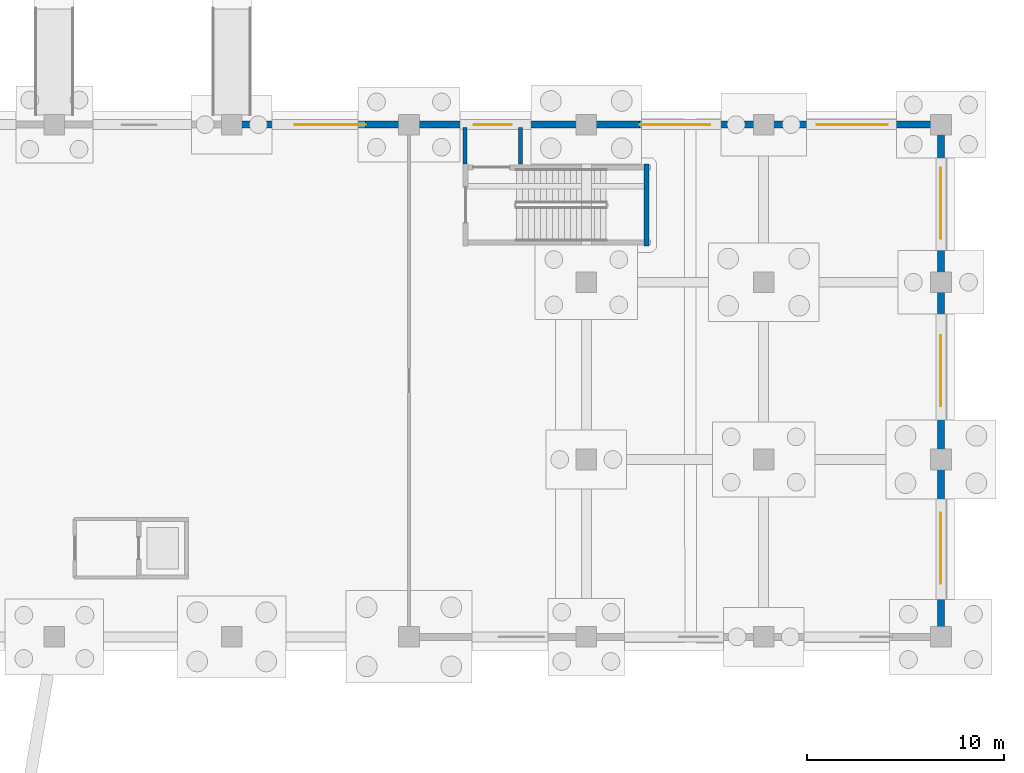
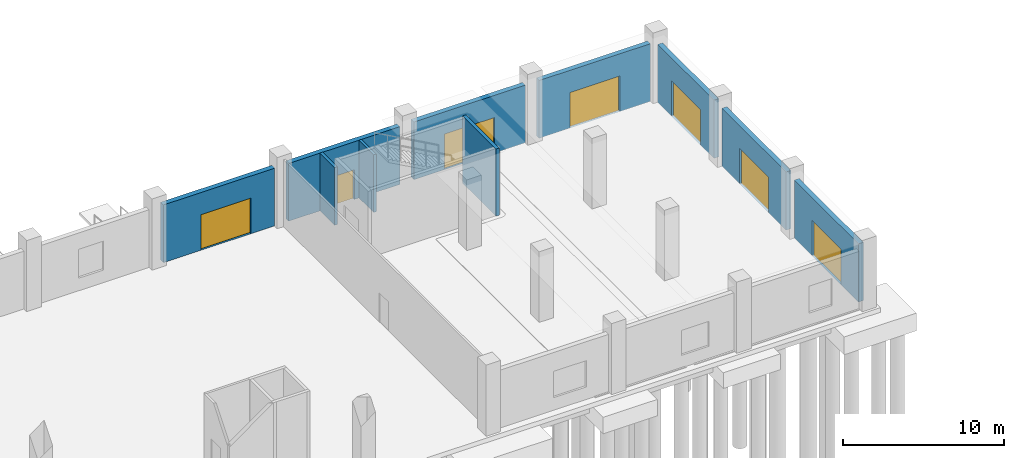
# One storey, part 49 of 103: 10 walls, 7 doors, 7 openings.
"""IFC4 building model written with IfcOpenShell, lengths in metres."""

import ifcopenshell
import ifcopenshell.guid

model = None  # the IFC model being written
_history = None  # IfcOwnerHistory: only IFC2X3 demands one
_inside = {}  # id of a spatial element -> (the spatial element, [elements in it])
_under = {}  # id of a project, library or spatial element -> (it, [spatial elements below it])
_declared = {}  # id of a project -> (the project, [libraries it declares])
_typed = {}  # id of a type object -> (the type object, [elements of that type])
_made_of = {}  # id of a material, layer set ... -> (it, [elements and type objects made of it])


def new_model(schema):
    """Start an empty IFC model of exactly this schema.

    Asked for "IFC4X3", IfcOpenShell would pick the latest addendum, in which some entities
    have other attributes; the version numbers below select the first issue.
    IFC2X3 requires an IfcOwnerHistory on every rooted entity: one is made here for all.
    """
    global model, _history
    if schema == "IFC4X3":
        model = ifcopenshell.file(schema_version=(4, 3, 0, 0))
    else:
        model = ifcopenshell.file(schema=schema)
    _inside.clear()
    _under.clear()
    _declared.clear()
    _typed.clear()
    _made_of.clear()
    _history = None
    if model.schema == "IFC2X3":
        org = make("IfcOrganization", Name="unknown")
        user = make(
            "IfcPersonAndOrganization",
            ThePerson=make("IfcPerson", FamilyName="unknown"),
            TheOrganization=org,
        )
        app = make(
            "IfcApplication",
            ApplicationDeveloper=org,
            Version="unknown",
            ApplicationFullName="unknown",
            ApplicationIdentifier="unknown",
        )
        _history = make(
            "IfcOwnerHistory",
            OwningUser=user,
            OwningApplication=app,
            ChangeAction="ADDED",
            CreationDate=0,
        )
    return model


def make(cls, **values):
    """One entity of the class cls with the attributes given. An attribute that is None is left unset."""
    return model.create_entity(
        cls, **{name: value for name, value in values.items() if value is not None}
    )


def rooted(cls, **values):
    """An entity with a GlobalId (a new one), such as an element, a storey or a relation."""
    return make(cls, GlobalId=ifcopenshell.guid.new(), OwnerHistory=_history, **values)


def si_unit(unit_type, name, prefix=None):
    """IfcSIUnit, for example si_unit("LENGTHUNIT", "METRE", prefix="MILLI")."""
    return make("IfcSIUnit", UnitType=unit_type, Prefix=prefix, Name=name)


def assignment(units):
    """IfcUnitAssignment: the units of a project."""
    return None if units is None else make("IfcUnitAssignment", Units=units)


def point(xyz):
    """IfcCartesianPoint."""
    return None if xyz is None else make("IfcCartesianPoint", Coordinates=xyz)


def direction(xyz):
    """IfcDirection."""
    return None if xyz is None else make("IfcDirection", DirectionRatios=xyz)


def frame(location, z_axis=None, x_axis=None):
    """IfcAxis2Placement3D, a coordinate frame: its origin and axes. An axis left out is left unset."""
    return make(
        "IfcAxis2Placement3D",
        Location=point(location),
        Axis=direction(z_axis),
        RefDirection=direction(x_axis),
    )


def frame_2d(location, x_axis=None):
    """IfcAxis2Placement2D, a coordinate frame in the plane: its origin and x axis."""
    return make(
        "IfcAxis2Placement2D", Location=point(location), RefDirection=direction(x_axis)
    )


def origin():
    """The frame at (0, 0, 0) with its axes left unset."""
    return frame((0.0, 0.0, 0.0))


def place(relative_to, where):
    """IfcLocalPlacement: puts the frame where relative to a parent placement (None: the world)."""
    return make(
        "IfcLocalPlacement", PlacementRelTo=relative_to, RelativePlacement=where
    )


def context(
    kind, dimensions, precision=None, world=None, true_north=None, identifier=None
):
    """IfcGeometricRepresentationContext, for example the 3D "Model" context."""
    return make(
        "IfcGeometricRepresentationContext",
        ContextIdentifier=identifier,
        ContextType=kind,
        CoordinateSpaceDimension=dimensions,
        Precision=precision,
        WorldCoordinateSystem=world,
        TrueNorth=true_north,
    )


def subcontext(parent, identifier, kind, view, scale=None):
    """IfcGeometricRepresentationSubContext, for example "Body" below "Model"."""
    return make(
        "IfcGeometricRepresentationSubContext",
        ContextIdentifier=identifier,
        ContextType=kind,
        ParentContext=parent,
        TargetScale=scale,
        TargetView=view,
    )


def project(units=None, contexts=None):
    """IfcProject with its units and contexts."""
    return rooted(
        "IfcProject",
        Name="project",
        RepresentationContexts=contexts,
        UnitsInContext=assignment(units),
    )


def spatial(cls, under=None, at=None, **own):
    """A site, building, storey or space (cls), placed at a placement, below another one or the project."""
    s = rooted(cls, ObjectPlacement=at, **own)
    if under is not None:
        _under.setdefault(under.id(), (under, []))[1].append(s)
    return s


def profile(cls, at=None, kind="AREA", **sizes):
    """A parametric profile (cls). Its sizes go by their IFC names, for example OverallWidth=200.0."""
    return make(cls, ProfileType=kind, Position=at, **sizes)


def rectangle(**sizes):
    """IfcRectangleProfileDef."""
    return profile("IfcRectangleProfileDef", **sizes)


def extrude(swept, where, along, depth):
    """IfcExtrudedAreaSolid: the profile swept, set in the frame where, extruded along a direction by depth."""
    return make(
        "IfcExtrudedAreaSolid",
        SweptArea=swept,
        Position=where,
        ExtrudedDirection=direction(along),
        Depth=depth,
    )


def shape(context_of_items, identifier, shape_type, items):
    """IfcShapeRepresentation: the items that make up one representation, for example the "Body"."""
    return make(
        "IfcShapeRepresentation",
        ContextOfItems=context_of_items,
        RepresentationIdentifier=identifier,
        RepresentationType=shape_type,
        Items=items,
    )


def material(Name=None, Category=None):
    """IfcMaterial."""
    return make("IfcMaterial", Name=Name, Category=Category)


def layer(
    of_material, thickness, ventilated=None, Name=None, Category=None, Priority=None
):
    """IfcMaterialLayer: one layer of a wall or slab, of a material (None: an air gap)."""
    return make(
        "IfcMaterialLayer",
        Material=of_material,
        LayerThickness=thickness,
        IsVentilated=ventilated,
        Name=Name,
        Category=Category,
        Priority=Priority,
    )


def layer_set(layers, Name=None):
    """IfcMaterialLayerSet."""
    return make("IfcMaterialLayerSet", MaterialLayers=layers, LayerSetName=Name)


def made_of(thing, what):
    """Note that an element or type object is made of a material, layer set ...; save() writes the relation."""
    if what is not None:
        _made_of.setdefault(what.id(), (what, []))[1].append(thing)
    return thing


def type_object(cls, material=None, **own):
    """A type object (cls), such as IfcWallType, which elements share."""
    return made_of(rooted(cls, **own), material)


def element(
    cls,
    number,
    at=None,
    inside=None,
    cuts=None,
    type_object=None,
    material=None,
    context=None,
    identifier="Body",
    shape_type=None,
    held_by="IfcProductDefinitionShape",
    body=None,
    shapes=None,
    **own,
):
    """One element of the class cls, such as IfcWall. Its Tag is "e" and its number.

    at: its placement. inside: the storey or other place that contains it. cuts: it is an
    opening in that element (IfcRelVoidsElement). A single representation is given by context,
    identifier, shape_type and body (its items); several are given by shapes. held_by: the class
    of the entity that holds the representations. save() writes the other relations.
    """
    e = rooted(cls, Tag="e%d" % number, ObjectPlacement=at, **own)
    if body is not None:
        shapes = [shape(context, identifier, shape_type, body)]
    if shapes is not None:
        e.Representation = make(held_by, Representations=shapes)
    if inside is not None:
        _inside.setdefault(inside.id(), (inside, []))[1].append(e)
    if cuts is not None:
        rooted(
            "IfcRelVoidsElement", RelatingBuildingElement=cuts, RelatedOpeningElement=e
        )
    if type_object is not None:
        _typed.setdefault(type_object.id(), (type_object, []))[1].append(e)
    return made_of(e, material)


def fill(opening, filler):
    """IfcRelFillsElement: the door or window that sits in an opening."""
    return rooted(
        "IfcRelFillsElement",
        RelatingOpeningElement=opening,
        RelatedBuildingElement=filler,
    )


def aggregate(whole, parts):
    """IfcRelAggregates: a whole, such as a stair, and the parts it consists of."""
    return rooted("IfcRelAggregates", RelatingObject=whole, RelatedObjects=parts)


def save(model, path):
    """Write the relations noted so far, then the file.

    IfcRelAggregates (storeys below a building ...), IfcRelContainedInSpatialStructure (elements
    in a storey), IfcRelDefinesByType, IfcRelAssociatesMaterial and IfcRelDeclares: one each for
    every whole, place, type object, material and project.
    """
    for whole, parts in _under.values():
        aggregate(whole, parts)
    for where, things in _inside.values():
        rooted(
            "IfcRelContainedInSpatialStructure",
            RelatedElements=things,
            RelatingStructure=where,
        )
    for kind, things in _typed.values():
        rooted("IfcRelDefinesByType", RelatedObjects=things, RelatingType=kind)
    for what, things in _made_of.values():
        rooted("IfcRelAssociatesMaterial", RelatedObjects=things, RelatingMaterial=what)
    for by, libraries in _declared.values():
        rooted("IfcRelDeclares", RelatingContext=by, RelatedDefinitions=libraries)
    model.write(path)


model = new_model("IFC4")

# Units and contexts
model_context = context("Model", 3, precision=1e-05, world=origin(), true_north=direction((0.0, 1.0)))
body_context = subcontext(model_context, "Body", "Model", "MODEL_VIEW")
ifc_project = project(units=[si_unit("LENGTHUNIT", "METRE"), si_unit("AREAUNIT", "SQUARE_METRE"), si_unit("VOLUMEUNIT", "CUBIC_METRE"), si_unit("PLANEANGLEUNIT", "RADIAN"), si_unit("MASSUNIT", "GRAM", prefix="KILO")], contexts=[model_context])

# Site, building, storey
site_placement = place(None, origin())
site = spatial("IfcSite", under=ifc_project, at=site_placement, CompositionType="ELEMENT")
building_placement = place(site_placement, origin())
building = spatial("IfcBuilding", under=site, at=building_placement, Name="Zevraka Park Crest Stadium", CompositionType="ELEMENT")
storey_placement = place(building_placement, origin())
storey = spatial("IfcBuildingStorey", under=building, at=storey_placement, Name="L00", CompositionType="ELEMENT", Elevation=0.0)

# Wall, opening, door
ifc_material_1 = material(Name="Limestone and red clay brick masonry", Category="masonry")
ifc_layer_1 = layer(ifc_material_1, 0.35009765625)
ifc_layer_set_1 = layer_set([ifc_layer_1], Name="Limestone and red clay brick masonry")
wall_type_1 = type_object("IfcWallType", Name="EW01", PredefinedType="STANDARD", material=ifc_layer_set_1)
wall_1_placement = place(storey_placement, frame((188.5, 184.0, 0.0), z_axis=(0.0, 0.0, 1.0), x_axis=(1.0, 0.0, 0.0)))
wall_1 = element("IfcWall", 1, at=wall_1_placement, inside=storey, type_object=wall_type_1, Name="Wing External Cavity Wall EW01 L00-NGATE-N-5", PredefinedType="STANDARD", context=body_context, shape_type="SweptSolid", body=[
    extrude(rectangle(XDim=8.0, YDim=0.35009765625, at=frame_2d((4.0, 0.0))), origin(), (0.0, 0.0, 1.0), 4.383544921875),
])
opening_1_placement = place(wall_1_placement, frame((2.699951171875, 0.0, 0.0)))
opening_1 = element("IfcOpeningElement", 2, at=opening_1_placement, cuts=wall_1, Name="Opening D-L00-E27", PredefinedType="OPENING", context=body_context, shape_type="SweptSolid", body=[
    extrude(rectangle(XDim=3.60009765625, YDim=2.699951171875, at=frame_2d((1.800048828125, 1.35009765625))), frame((0.0, 0.18505859375, 0.0), z_axis=(0.0, -1.0, 0.0), x_axis=(1.0, 0.0, 0.0)), (0.0, 0.0, 1.0), 0.3701171875),
])
ifc_material_2 = material(Name="Thermally broken architectural aluminium and safety glass", Category="aluminium")
door_type_1 = type_object("IfcDoorType", Name="ED01", OperationType="NOTDEFINED", PredefinedType="DOOR", material=ifc_material_2)
door_1_placement = place(opening_1_placement, origin())
door_1 = element("IfcDoor", 3, at=door_1_placement, inside=storey, type_object=door_type_1, Name="Concourse Final Exit E27", OperationType="DOUBLE_DOOR_SINGLE_SWING", OverallHeight=2.699951171875, OverallWidth=3.60009765625, PredefinedType="DOOR", context=body_context, shape_type="SweptSolid", body=[
    extrude(rectangle(XDim=3.60009765625, YDim=2.699951171875, at=frame_2d((1.800048828125, 1.35009765625))), frame((0.0, 0.02490234375, 0.0), z_axis=(0.0, -1.0, 0.0), x_axis=(1.0, 0.0, 0.0)), (0.0, 0.0, 1.0), 0.050048828125),
])
fill(opening_1, door_1)

wall_2_placement = place(storey_placement, frame((197.5, 184.0, 0.0), z_axis=(0.0, 0.0, 1.0), x_axis=(1.0, 0.0, 0.0)))
wall_2 = element("IfcWall", 4, at=wall_2_placement, inside=storey, type_object=wall_type_1, Name="Wing External Cavity Wall EW01 L00-NGATE-N-6", PredefinedType="STANDARD", context=body_context, shape_type="SweptSolid", body=[
    extrude(rectangle(XDim=8.0, YDim=0.35009765625, at=frame_2d((4.0, 0.0))), origin(), (0.0, 0.0, 1.0), 4.383544921875),
])
opening_2_placement = place(wall_2_placement, frame((2.77490234375, 0.0, 0.0)))
opening_2 = element("IfcOpeningElement", 5, at=opening_2_placement, cuts=wall_2, Name="Opening D-L00-EX-ST45", PredefinedType="OPENING", context=body_context, shape_type="SweptSolid", body=[
    extrude(rectangle(XDim=1.949951171875, YDim=2.25, at=frame_2d((0.97509765625, 1.125))), frame((0.0, 0.18505859375, 0.0), z_axis=(0.0, -1.0, 0.0), x_axis=(1.0, 0.0, 0.0)), (0.0, 0.0, 1.0), 0.3701171875),
])
ifc_material_3 = material(Name="Thermally broken architectural aluminium and safety glass", Category="aluminium")
door_type_2 = type_object("IfcDoorType", Name="ED05", OperationType="NOTDEFINED", PredefinedType="DOOR", material=ifc_material_3)
door_2_placement = place(opening_2_placement, origin())
door_2 = element("IfcDoor", 6, at=door_2_placement, inside=storey, type_object=door_type_2, Name="Stair Final Exit Discharge Door D-L00-EX-ST45", OperationType="DOUBLE_DOOR_SINGLE_SWING", OverallHeight=2.25, OverallWidth=1.949951171875, PredefinedType="DOOR", context=body_context, shape_type="SweptSolid", body=[
    extrude(rectangle(XDim=1.949951171875, YDim=2.25, at=frame_2d((0.97509765625, 1.125))), frame((0.0, 0.02490234375, 0.0), z_axis=(0.0, -1.0, 0.0), x_axis=(1.0, 0.0, 0.0)), (0.0, 0.0, 1.0), 0.050048828125),
])
fill(opening_2, door_2)

wall_3_placement = place(storey_placement, frame((206.5, 184.0, 0.0), z_axis=(0.0, 0.0, 1.0), x_axis=(1.0, 0.0, 0.0)))
wall_3 = element("IfcWall", 7, at=wall_3_placement, inside=storey, type_object=wall_type_1, Name="Wing External Cavity Wall EW01 L00-NGATE-N-7", PredefinedType="STANDARD", context=body_context, shape_type="SweptSolid", body=[
    extrude(rectangle(XDim=8.0, YDim=0.35009765625, at=frame_2d((4.0, 0.0))), origin(), (0.0, 0.0, 1.0), 4.383544921875),
])
opening_3_placement = place(wall_3_placement, frame((2.199951171875, 0.0, 0.0)))
opening_3 = element("IfcOpeningElement", 8, at=opening_3_placement, cuts=wall_3, Name="Opening D-L00-E28", PredefinedType="OPENING", context=body_context, shape_type="SweptSolid", body=[
    extrude(rectangle(XDim=3.60009765625, YDim=2.699951171875, at=frame_2d((1.800048828125, 1.35009765625))), frame((0.0, 0.18505859375, 0.0), z_axis=(0.0, -1.0, 0.0), x_axis=(1.0, 0.0, 0.0)), (0.0, 0.0, 1.0), 0.3701171875),
])
door_3_placement = place(opening_3_placement, origin())
door_3 = element("IfcDoor", 9, at=door_3_placement, inside=storey, type_object=door_type_1, Name="Concourse Final Exit E28", OperationType="DOUBLE_DOOR_SINGLE_SWING", OverallHeight=2.699951171875, OverallWidth=3.60009765625, PredefinedType="DOOR", context=body_context, shape_type="SweptSolid", body=[
    extrude(rectangle(XDim=3.60009765625, YDim=2.699951171875, at=frame_2d((1.800048828125, 1.35009765625))), frame((0.0, 0.02490234375, 0.0), z_axis=(0.0, -1.0, 0.0), x_axis=(1.0, 0.0, 0.0)), (0.0, 0.0, 1.0), 0.050048828125),
])
fill(opening_3, door_3)

wall_4_placement = place(storey_placement, frame((215.5, 184.0, 0.0), z_axis=(0.0, 0.0, 1.0), x_axis=(1.0, 0.0, 0.0)))
wall_4 = element("IfcWall", 10, at=wall_4_placement, inside=storey, type_object=wall_type_1, Name="Wing External Cavity Wall EW01 L00-NGATE-N-8", PredefinedType="STANDARD", context=body_context, shape_type="SweptSolid", body=[
    extrude(rectangle(XDim=8.0, YDim=0.35009765625, at=frame_2d((4.0, 0.0))), origin(), (0.0, 0.0, 1.0), 4.383544921875),
])
opening_4_placement = place(wall_4_placement, frame((2.199951171875, 0.0, 0.0)))
opening_4 = element("IfcOpeningElement", 11, at=opening_4_placement, cuts=wall_4, Name="Opening D-L00-E29", PredefinedType="OPENING", context=body_context, shape_type="SweptSolid", body=[
    extrude(rectangle(XDim=3.60009765625, YDim=2.699951171875, at=frame_2d((1.800048828125, 1.35009765625))), frame((0.0, 0.18505859375, 0.0), z_axis=(0.0, -1.0, 0.0), x_axis=(1.0, 0.0, 0.0)), (0.0, 0.0, 1.0), 0.3701171875),
])
door_4_placement = place(opening_4_placement, origin())
door_4 = element("IfcDoor", 12, at=door_4_placement, inside=storey, type_object=door_type_1, Name="Concourse Final Exit E29", OperationType="DOUBLE_DOOR_SINGLE_SWING", OverallHeight=2.699951171875, OverallWidth=3.60009765625, PredefinedType="DOOR", context=body_context, shape_type="SweptSolid", body=[
    extrude(rectangle(XDim=3.60009765625, YDim=2.699951171875, at=frame_2d((1.800048828125, 1.35009765625))), frame((0.0, 0.02490234375, 0.0), z_axis=(0.0, -1.0, 0.0), x_axis=(1.0, 0.0, 0.0)), (0.0, 0.0, 1.0), 0.050048828125),
])
fill(opening_4, door_4)

wall_5_placement = place(storey_placement, frame((224.0, 183.5, 0.0), z_axis=(0.0, 0.0, 1.0), x_axis=(0.0, -1.0, 0.0)))
wall_5 = element("IfcWall", 13, at=wall_5_placement, inside=storey, type_object=wall_type_1, Name="Wing External Cavity Wall EW01 L00-NGATE-E-1", PredefinedType="STANDARD", context=body_context, shape_type="SweptSolid", body=[
    extrude(rectangle(XDim=7.0, YDim=0.35009765625, at=frame_2d((3.5, 0.0))), origin(), (0.0, 0.0, 1.0), 4.4169921875),
])
opening_5_placement = place(wall_5_placement, frame((1.699951171875, 0.0, 0.0)))
opening_5 = element("IfcOpeningElement", 14, at=opening_5_placement, cuts=wall_5, Name="Opening D-L00-E30", PredefinedType="OPENING", context=body_context, shape_type="SweptSolid", body=[
    extrude(rectangle(XDim=3.60009765625, YDim=2.699951171875, at=frame_2d((1.800048828125, 1.35009765625))), frame((0.0, 0.18505859375, 0.0), z_axis=(0.0, -1.0, 0.0), x_axis=(1.0, 0.0, 0.0)), (0.0, 0.0, 1.0), 0.3701171875),
])
door_5_placement = place(opening_5_placement, origin())
door_5 = element("IfcDoor", 15, at=door_5_placement, inside=storey, type_object=door_type_1, Name="Concourse Final Exit E30", OperationType="DOUBLE_DOOR_SINGLE_SWING", OverallHeight=2.699951171875, OverallWidth=3.60009765625, PredefinedType="DOOR", context=body_context, shape_type="SweptSolid", body=[
    extrude(rectangle(XDim=3.60009765625, YDim=2.699951171875, at=frame_2d((1.800048828125, 1.35009765625))), frame((0.0, 0.02490234375, 0.0), z_axis=(0.0, -1.0, 0.0), x_axis=(1.0, 0.0, 0.0)), (0.0, 0.0, 1.0), 0.050048828125),
])
fill(opening_5, door_5)

wall_6_placement = place(storey_placement, frame((224.0, 175.5, 0.0), z_axis=(0.0, 0.0, 1.0), x_axis=(0.0, -1.0, 0.0)))
wall_6 = element("IfcWall", 16, at=wall_6_placement, inside=storey, type_object=wall_type_1, Name="Wing External Cavity Wall EW01 L00-NGATE-E-2", PredefinedType="STANDARD", context=body_context, shape_type="SweptSolid", body=[
    extrude(rectangle(XDim=8.0, YDim=0.35009765625, at=frame_2d((4.0, 0.0))), origin(), (0.0, 0.0, 1.0), 4.4169921875),
])
opening_6_placement = place(wall_6_placement, frame((2.199951171875, 0.0, 0.0)))
opening_6 = element("IfcOpeningElement", 17, at=opening_6_placement, cuts=wall_6, Name="Opening D-L00-E31", PredefinedType="OPENING", context=body_context, shape_type="SweptSolid", body=[
    extrude(rectangle(XDim=3.60009765625, YDim=2.699951171875, at=frame_2d((1.800048828125, 1.35009765625))), frame((0.0, 0.18505859375, 0.0), z_axis=(0.0, -1.0, 0.0), x_axis=(1.0, 0.0, 0.0)), (0.0, 0.0, 1.0), 0.3701171875),
])
door_6_placement = place(opening_6_placement, origin())
door_6 = element("IfcDoor", 18, at=door_6_placement, inside=storey, type_object=door_type_1, Name="Concourse Final Exit E31", OperationType="DOUBLE_DOOR_SINGLE_SWING", OverallHeight=2.699951171875, OverallWidth=3.60009765625, PredefinedType="DOOR", context=body_context, shape_type="SweptSolid", body=[
    extrude(rectangle(XDim=3.60009765625, YDim=2.699951171875, at=frame_2d((1.800048828125, 1.35009765625))), frame((0.0, 0.02490234375, 0.0), z_axis=(0.0, -1.0, 0.0), x_axis=(1.0, 0.0, 0.0)), (0.0, 0.0, 1.0), 0.050048828125),
])
fill(opening_6, door_6)

wall_7_placement = place(storey_placement, frame((224.0, 166.5, 0.0), z_axis=(0.0, 0.0, 1.0), x_axis=(0.0, -1.0, 0.0)))
wall_7 = element("IfcWall", 19, at=wall_7_placement, inside=storey, type_object=wall_type_1, Name="Wing External Cavity Wall EW01 L00-NGATE-E-3", PredefinedType="STANDARD", context=body_context, shape_type="SweptSolid", body=[
    extrude(rectangle(XDim=8.0, YDim=0.35009765625, at=frame_2d((4.0, 0.0))), origin(), (0.0, 0.0, 1.0), 4.4169921875),
])
opening_7_placement = place(wall_7_placement, frame((2.199951171875, 0.0, 0.0)))
opening_7 = element("IfcOpeningElement", 20, at=opening_7_placement, cuts=wall_7, Name="Opening D-L00-E32", PredefinedType="OPENING", context=body_context, shape_type="SweptSolid", body=[
    extrude(rectangle(XDim=3.60009765625, YDim=2.699951171875, at=frame_2d((1.800048828125, 1.35009765625))), frame((0.0, 0.18505859375, 0.0), z_axis=(0.0, -1.0, 0.0), x_axis=(1.0, 0.0, 0.0)), (0.0, 0.0, 1.0), 0.3701171875),
])
door_7_placement = place(opening_7_placement, origin())
door_7 = element("IfcDoor", 21, at=door_7_placement, inside=storey, type_object=door_type_1, Name="Concourse Final Exit E32", OperationType="DOUBLE_DOOR_SINGLE_SWING", OverallHeight=2.699951171875, OverallWidth=3.60009765625, PredefinedType="DOOR", context=body_context, shape_type="SweptSolid", body=[
    extrude(rectangle(XDim=3.60009765625, YDim=2.699951171875, at=frame_2d((1.800048828125, 1.35009765625))), frame((0.0, 0.02490234375, 0.0), z_axis=(0.0, -1.0, 0.0), x_axis=(1.0, 0.0, 0.0)), (0.0, 0.0, 1.0), 0.050048828125),
])
fill(opening_7, door_7)

# Walls
ifc_material_4 = material(Name="Autoclaved aerated masonry blockwork", Category="masonry")
ifc_layer_2 = layer(ifc_material_4, 0.199951171875)
ifc_layer_set_2 = layer_set([ifc_layer_2], Name="Autoclaved aerated masonry blockwork")
wall_type_2 = type_object("IfcWallType", Name="IW01", PredefinedType="PARTITIONING", material=ifc_layer_set_2)
for number, where, z_axis, x_axis, name in (
    (22, (199.85009765625, 182.0, 0.0), (0.0, 0.0, 1.0), (0.0, 1.0, 0.0), "Protected Exit Passageway Wall IW01 ST45-A"),
    (23, (202.64990234375, 182.0, 0.0), (0.0, 0.0, 1.0), (0.0, 1.0, 0.0), "Protected Exit Passageway Wall IW01 ST45-B"),
):
    element("IfcWall", number, at=place(storey_placement, frame(where, z_axis=z_axis, x_axis=x_axis)), inside=storey, type_object=wall_type_2, Name=name, PredefinedType="PARTITIONING", context=body_context, shape_type="SweptSolid", body=[
        extrude(rectangle(XDim=1.844970703125, YDim=0.199951171875, at=frame_2d((0.92236328125, 0.0))), origin(), (0.0, 0.0, 1.0), 4.383544921875),
    ])
ifc_material_5 = material(Name="Concrete C40/50", Category="concrete")
ifc_layer_3 = layer(ifc_material_5, 0.25)
ifc_layer_set_3 = layer_set([ifc_layer_3], Name="Concrete C40/50")
wall_type_3 = type_object("IfcWallType", Name="SW01", PredefinedType="SHEAR", material=ifc_layer_set_3)
wall_8_placement = place(storey_placement, frame((209.06494140625, 177.840087890625, 0.0), z_axis=(0.0, 0.0, 1.0), x_axis=(0.0, 1.0, 0.0)))
element("IfcWall", 24, at=wall_8_placement, inside=storey, type_object=wall_type_3, Name="Stair Core Shear Wall SW01 ST45 L00 far", PredefinedType="SHEAR", context=body_context, shape_type="SweptSolid", body=[
    extrude(rectangle(XDim=4.159912109375, YDim=0.25, at=frame_2d((2.080078125, 0.0))), origin(), (0.0, 0.0, 1.0), 5.10009765625),
])

save(model, "model.ifc")
